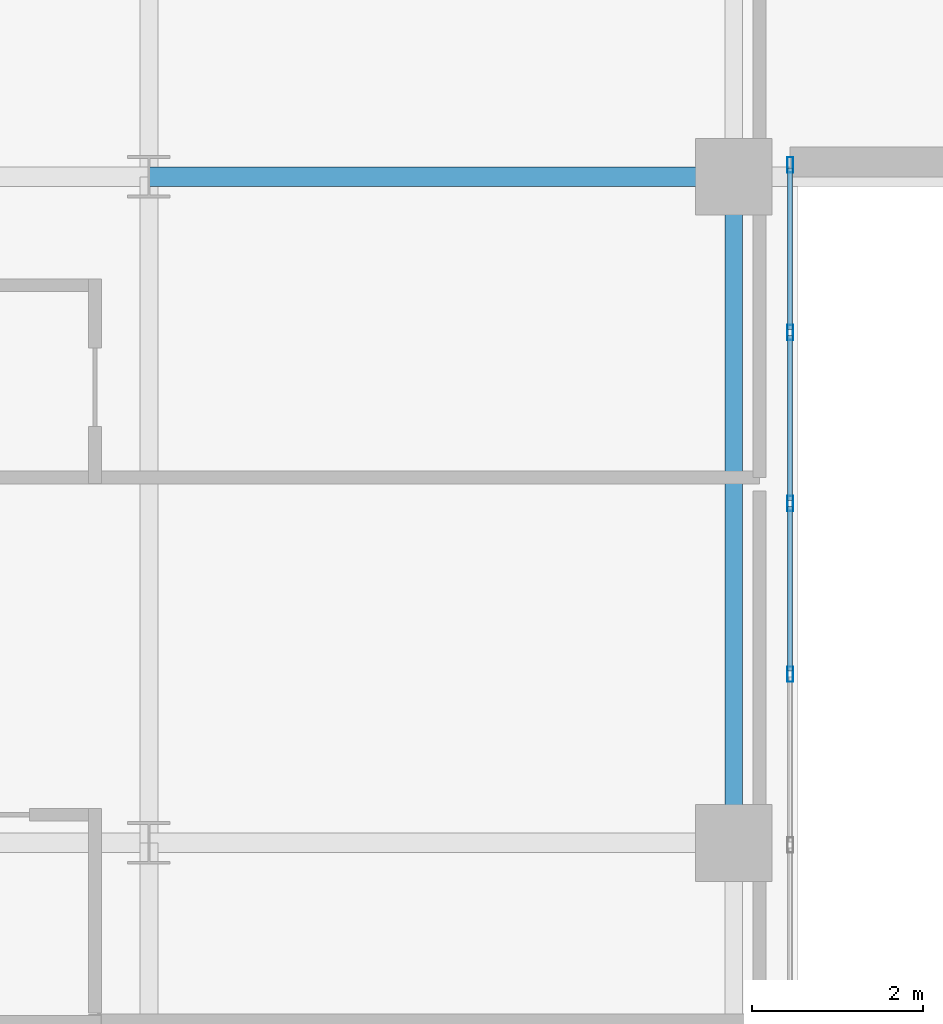
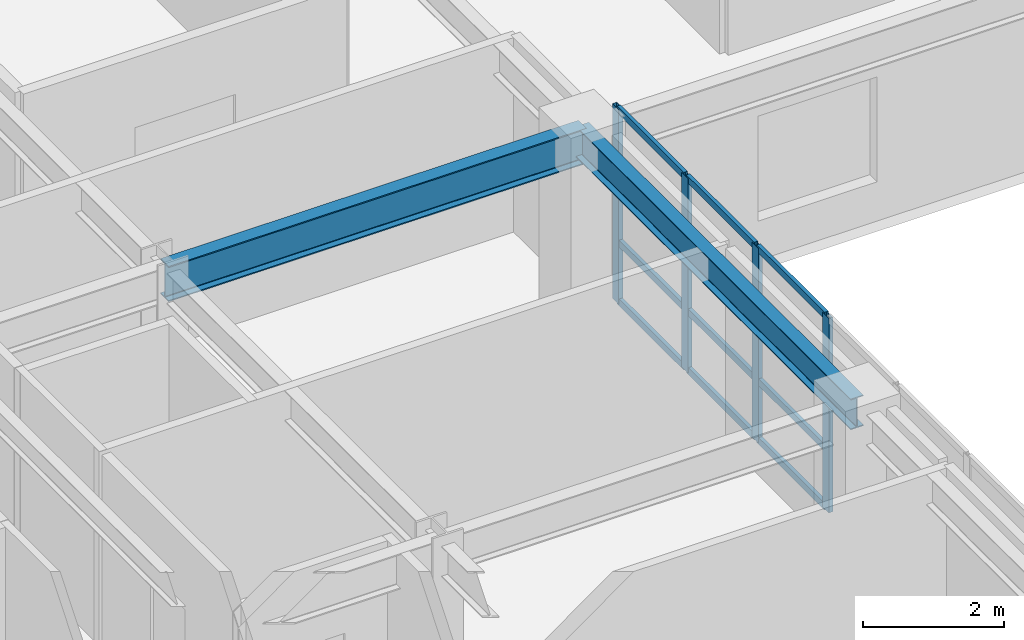
# One storey, part 7 of 30: 13 members, 2 beams, 1 element without a shape of its own.
"""IFC4 building model written with IfcOpenShell, lengths in metres."""

from ifc_helpers import new_model, si_unit, direction, frame, origin, origin_2d, place, context, subcontext, project, spatial, hollow_rectangle, i_section, extrude, source, transform, mapped, material, layer, layer_set, material_profile, profile_set, type_object, type_shapes, element, aggregate, save


model = new_model("IFC4")

# Units and contexts
model_context = context("Model", 3, precision=1e-05, world=origin(), true_north=direction((0.0, 1.0)))
body_context = subcontext(model_context, "Body", "Model", "MODEL_VIEW")
ifc_project = project(units=[si_unit("LENGTHUNIT", "METRE"), si_unit("AREAUNIT", "SQUARE_METRE"), si_unit("VOLUMEUNIT", "CUBIC_METRE"), si_unit("PLANEANGLEUNIT", "RADIAN"), si_unit("MASSUNIT", "GRAM", prefix="KILO")], contexts=[model_context])

# Site, building, storey
site_placement = place(None, origin())
site = spatial("IfcSite", under=ifc_project, at=site_placement, CompositionType="ELEMENT")
building_placement = place(site_placement, origin())
building = spatial("IfcBuilding", under=site, at=building_placement, Name="Tolvann Quenvar Hotel", CompositionType="ELEMENT")
storey_placement = place(building_placement, frame((0.0, 0.0, 100.89990234375)))
storey = spatial("IfcBuildingStorey", under=building, at=storey_placement, Name="L25", CompositionType="ELEMENT", Elevation=100.89990234375)

# Beams
ifc_material_1 = material(Name="Steel Grade 350", Category="steel")
ifc_material_profile_1 = material_profile(ifc_material_1, i_section(OverallWidth=0.22900390625, OverallDepth=0.612060546875, WebThickness=0.011962890625, FlangeThickness=0.01953125, FilletRadius=0.013916015625, at=origin_2d()), Name="610UB125")
ifc_profile_set_1 = profile_set([ifc_material_profile_1], Name="Steel Grade 350")
beam_type_1 = type_object("IfcBeamType", Name="BM_GIRD_610UB125", PredefinedType="BEAM", material=ifc_profile_set_1)
shared_shape_1 = source(origin(), body_context, "Body", "SweptSolid", [
    extrude(i_section(OverallWidth=0.22900390625, OverallDepth=0.612060546875, WebThickness=0.011962890625, FlangeThickness=0.01953125, FilletRadius=0.013916015625, at=origin_2d()), origin(), (0.0, 0.0, 1.0), 6.85009765625),
])
type_shapes(beam_type_1, [shared_shape_1])
beam_1_placement = place(storey_placement, frame((15.199951171875, 16.0, 3.064208984375), z_axis=(1.0, 0.0, 0.0), x_axis=(0.0, 1.0, 0.0)))
element("IfcBeam", 1, at=beam_1_placement, inside=storey, type_object=beam_type_1, Name="BM-L25-EW-4-D4-E4", PredefinedType="BEAM", context=body_context, shape_type="MappedRepresentation", body=[
    mapped(shared_shape_1, transform((0.0, 0.0, 0.0), x_axis=(1.0, 0.0, 0.0), y_axis=(0.0, 1.0, 0.0), z_axis=(0.0, 0.0, 1.0), scale=1.0)),
])
ifc_material_profile_2 = material_profile(ifc_material_1, i_section(OverallWidth=0.208984375, OverallDepth=0.532958984375, WebThickness=0.01025390625, FlangeThickness=0.015625, FilletRadius=0.013916015625, at=origin_2d()), Name="530UB92")
ifc_profile_set_2 = profile_set([ifc_material_profile_2], Name="Steel Grade 350")
beam_type_2 = type_object("IfcBeamType", Name="BM_GIRD_530UB92", PredefinedType="BEAM", material=ifc_profile_set_2)
shared_shape_2 = source(origin(), body_context, "Body", "SweptSolid", [
    extrude(i_section(OverallWidth=0.208984375, OverallDepth=0.532958984375, WebThickness=0.01025390625, FlangeThickness=0.015625, FilletRadius=0.013916015625, at=origin_2d()), origin(), (0.0, 0.0, 1.0), 7.800048828125),
])
type_shapes(beam_type_2, [shared_shape_2])
beam_2_placement = place(storey_placement, frame((22.050048828125, 8.199951171875, 3.103515625), z_axis=(0.0, 1.0, 0.0), x_axis=(-1.0, 0.0, 0.0)))
element("IfcBeam", 2, at=beam_2_placement, inside=storey, type_object=beam_type_2, Name="BM-L25-NS-E3-E4", PredefinedType="BEAM", context=body_context, shape_type="MappedRepresentation", body=[
    mapped(shared_shape_2, transform((0.0, 0.0, 0.0), x_axis=(1.0, 0.0, 0.0), y_axis=(0.0, 1.0, 0.0), z_axis=(0.0, 0.0, 1.0), scale=1.0)),
])

# Curtain wall, members
ifc_material_2 = material(Name="Thermally broken anodised architectural aluminium 6063-T6 and laminated low-E glass", Category="aluminium")
ifc_layer = layer(ifc_material_2, 0.179931640625)
ifc_layer_set = layer_set([ifc_layer], Name="Thermally broken anodised architectural aluminium 6063-T6 and laminated low-E glass")
curtain_wall_type = type_object("IfcCurtainWallType", Name="CW_SYS_SLOT_03", PredefinedType="USERDEFINED", material=ifc_layer_set)
curtain_wall_placement = place(storey_placement, origin())
curtain_wall = element("IfcCurtainWall", 3, at=curtain_wall_placement, inside=storey, type_object=curtain_wall_type, Name="Curtain Wall CW-SLOT-03 (CWR-L25-E05)", ObjectType="UNITISED CURTAIN WALL", PredefinedType="USERDEFINED")
ifc_material_3 = material(Name="Anodised architectural aluminium 6063-T6 framing", Category="aluminium")
ifc_material_profile_3 = material_profile(ifc_material_3, hollow_rectangle(XDim=0.070068359375, YDim=0.179931640625, WallThickness=0.00390625, at=origin_2d()), Name="180x70x4RHS")
ifc_profile_set_3 = profile_set([ifc_material_profile_3], Name="Anodised architectural aluminium 6063-T6 framing")
member_type_1 = type_object("IfcMemberType", Name="CW_MULL_180x70", PredefinedType="MULLION", material=ifc_profile_set_3)
shared_shape_3 = source(origin(), body_context, "Body", "SweptSolid", [
    extrude(hollow_rectangle(XDim=0.070068359375, YDim=0.179931640625, WallThickness=0.00390625, at=origin_2d()), origin(), (0.0, 0.0, 1.0), 3.3701171875),
])
type_shapes(member_type_1, [shared_shape_3])
member_1_placement = place(storey_placement, frame((22.7099609375, 10.175048828125, 0.0), z_axis=(0.0, 0.0, 1.0), x_axis=(-1.0, 0.0, 0.0)))
member_1 = element("IfcMember", 4, at=member_1_placement, type_object=member_type_1, Name="CW-SLOT-03 mullion 6", PredefinedType="MULLION", context=body_context, shape_type="MappedRepresentation", body=[
    mapped(shared_shape_3, transform((0.0, 0.0, 0.0), x_axis=(1.0, 0.0, 0.0), y_axis=(0.0, 1.0, 0.0), z_axis=(0.0, 0.0, 1.0), scale=1.0)),
])
member_2_placement = place(storey_placement, frame((22.7099609375, 12.175048828125, 0.0), z_axis=(0.0, 0.0, 1.0), x_axis=(-1.0, 0.0, 0.0)))
member_2 = element("IfcMember", 5, at=member_2_placement, type_object=member_type_1, Name="CW-SLOT-03 mullion 7", PredefinedType="MULLION", context=body_context, shape_type="MappedRepresentation", body=[
    mapped(shared_shape_3, transform((0.0, 0.0, 0.0), x_axis=(1.0, 0.0, 0.0), y_axis=(0.0, 1.0, 0.0), z_axis=(0.0, 0.0, 1.0), scale=1.0)),
])
member_3_placement = place(storey_placement, frame((22.7099609375, 14.175048828125, 0.0), z_axis=(0.0, 0.0, 1.0), x_axis=(-1.0, 0.0, 0.0)))
member_3 = element("IfcMember", 6, at=member_3_placement, type_object=member_type_1, Name="CW-SLOT-03 mullion 8", PredefinedType="MULLION", context=body_context, shape_type="MappedRepresentation", body=[
    mapped(shared_shape_3, transform((0.0, 0.0, 0.0), x_axis=(1.0, 0.0, 0.0), y_axis=(0.0, 1.0, 0.0), z_axis=(0.0, 0.0, 1.0), scale=1.0)),
])
member_4_placement = place(storey_placement, frame((22.7099609375, 16.139892578125, 0.0), z_axis=(0.0, 0.0, 1.0), x_axis=(-1.0, 0.0, 0.0)))
member_4 = element("IfcMember", 7, at=member_4_placement, type_object=member_type_1, Name="CW-SLOT-03 mullion 9", PredefinedType="MULLION", context=body_context, shape_type="MappedRepresentation", body=[
    mapped(shared_shape_3, transform((0.0, 0.0, 0.0), x_axis=(1.0, 0.0, 0.0), y_axis=(0.0, 1.0, 0.0), z_axis=(0.0, 0.0, 1.0), scale=1.0)),
])
ifc_material_profile_4 = material_profile(ifc_material_3, hollow_rectangle(XDim=0.06005859375, YDim=0.1201171875, WallThickness=0.00341796875, at=origin_2d()), Name="120x60x3.5RHS")
ifc_profile_set_4 = profile_set([ifc_material_profile_4], Name="Anodised architectural aluminium 6063-T6 framing")
member_type_2 = type_object("IfcMemberType", Name="CW_TRAN_120x60", PredefinedType="USERDEFINED", material=ifc_profile_set_4)
shared_shape_4 = source(origin(), body_context, "Body", "SweptSolid", [
    extrude(hollow_rectangle(XDim=0.06005859375, YDim=0.1201171875, WallThickness=0.00341796875, at=origin_2d()), origin(), (0.0, 0.0, 1.0), 1.929931640625),
])
member_5_placement = place(storey_placement, frame((22.7099609375, 10.2099609375, 0.030029296875), z_axis=(0.0, 1.0, 0.0), x_axis=(-1.0, 0.0, 0.0)))
member_5 = element("IfcMember", 8, at=member_5_placement, type_object=member_type_2, Name="CW-SLOT-03 transom 6.1", ObjectType="TRANSOM", PredefinedType="USERDEFINED", context=body_context, shape_type="MappedRepresentation", body=[
    mapped(shared_shape_4, transform((0.0, 0.0, 0.0), x_axis=(1.0, 0.0, 0.0), y_axis=(0.0, 1.0, 0.0), z_axis=(0.0, 0.0, 1.0), scale=1.0)),
])
member_6_placement = place(storey_placement, frame((22.7099609375, 10.2099609375, 1.050048828125), z_axis=(0.0, 1.0, 0.0), x_axis=(-1.0, 0.0, 0.0)))
member_6 = element("IfcMember", 9, at=member_6_placement, type_object=member_type_2, Name="CW-SLOT-03 transom 6.2", ObjectType="TRANSOM", PredefinedType="USERDEFINED", context=body_context, shape_type="MappedRepresentation", body=[
    mapped(shared_shape_4, transform((0.0, 0.0, 0.0), x_axis=(1.0, 0.0, 0.0), y_axis=(0.0, 1.0, 0.0), z_axis=(0.0, 0.0, 1.0), scale=1.0)),
])
member_7_placement = place(storey_placement, frame((22.7099609375, 10.2099609375, 3.340087890625), z_axis=(0.0, 1.0, 0.0), x_axis=(-1.0, 0.0, 0.0)))
member_7 = element("IfcMember", 10, at=member_7_placement, type_object=member_type_2, Name="CW-SLOT-03 transom 6.3", ObjectType="TRANSOM", PredefinedType="USERDEFINED", context=body_context, shape_type="MappedRepresentation", body=[
    mapped(shared_shape_4, transform((0.0, 0.0, 0.0), x_axis=(1.0, 0.0, 0.0), y_axis=(0.0, 1.0, 0.0), z_axis=(0.0, 0.0, 1.0), scale=1.0)),
])
member_8_placement = place(storey_placement, frame((22.7099609375, 12.2099609375, 0.030029296875), z_axis=(0.0, 1.0, 0.0), x_axis=(-1.0, 0.0, 0.0)))
member_8 = element("IfcMember", 11, at=member_8_placement, type_object=member_type_2, Name="CW-SLOT-03 transom 7.1", ObjectType="TRANSOM", PredefinedType="USERDEFINED", context=body_context, shape_type="MappedRepresentation", body=[
    mapped(shared_shape_4, transform((0.0, 0.0, 0.0), x_axis=(1.0, 0.0, 0.0), y_axis=(0.0, 1.0, 0.0), z_axis=(0.0, 0.0, 1.0), scale=1.0)),
])
member_9_placement = place(storey_placement, frame((22.7099609375, 12.2099609375, 1.050048828125), z_axis=(0.0, 1.0, 0.0), x_axis=(-1.0, 0.0, 0.0)))
member_9 = element("IfcMember", 12, at=member_9_placement, type_object=member_type_2, Name="CW-SLOT-03 transom 7.2", ObjectType="TRANSOM", PredefinedType="USERDEFINED", context=body_context, shape_type="MappedRepresentation", body=[
    mapped(shared_shape_4, transform((0.0, 0.0, 0.0), x_axis=(1.0, 0.0, 0.0), y_axis=(0.0, 1.0, 0.0), z_axis=(0.0, 0.0, 1.0), scale=1.0)),
])
member_10_placement = place(storey_placement, frame((22.7099609375, 12.2099609375, 3.340087890625), z_axis=(0.0, 1.0, 0.0), x_axis=(-1.0, 0.0, 0.0)))
member_10 = element("IfcMember", 13, at=member_10_placement, type_object=member_type_2, Name="CW-SLOT-03 transom 7.3", ObjectType="TRANSOM", PredefinedType="USERDEFINED", context=body_context, shape_type="MappedRepresentation", body=[
    mapped(shared_shape_4, transform((0.0, 0.0, 0.0), x_axis=(1.0, 0.0, 0.0), y_axis=(0.0, 1.0, 0.0), z_axis=(0.0, 0.0, 1.0), scale=1.0)),
])
shared_shape_5 = source(origin(), body_context, "Body", "SweptSolid", [
    extrude(hollow_rectangle(XDim=0.06005859375, YDim=0.1201171875, WallThickness=0.00341796875, at=origin_2d()), origin(), (0.0, 0.0, 1.0), 1.89501953125),
])
type_shapes(member_type_2, [shared_shape_4, shared_shape_5])
member_11_placement = place(storey_placement, frame((22.7099609375, 14.2099609375, 0.030029296875), z_axis=(0.0, 1.0, 0.0), x_axis=(-1.0, 0.0, 0.0)))
member_11 = element("IfcMember", 14, at=member_11_placement, type_object=member_type_2, Name="CW-SLOT-03 transom 8.1", ObjectType="TRANSOM", PredefinedType="USERDEFINED", context=body_context, shape_type="MappedRepresentation", body=[
    mapped(shared_shape_5, transform((0.0, 0.0, 0.0), x_axis=(1.0, 0.0, 0.0), y_axis=(0.0, 1.0, 0.0), z_axis=(0.0, 0.0, 1.0), scale=1.0)),
])
member_12_placement = place(storey_placement, frame((22.7099609375, 14.2099609375, 1.050048828125), z_axis=(0.0, 1.0, 0.0), x_axis=(-1.0, 0.0, 0.0)))
member_12 = element("IfcMember", 15, at=member_12_placement, type_object=member_type_2, Name="CW-SLOT-03 transom 8.2", ObjectType="TRANSOM", PredefinedType="USERDEFINED", context=body_context, shape_type="MappedRepresentation", body=[
    mapped(shared_shape_5, transform((0.0, 0.0, 0.0), x_axis=(1.0, 0.0, 0.0), y_axis=(0.0, 1.0, 0.0), z_axis=(0.0, 0.0, 1.0), scale=1.0)),
])
member_13_placement = place(storey_placement, frame((22.7099609375, 14.2099609375, 3.340087890625), z_axis=(0.0, 1.0, 0.0), x_axis=(-1.0, 0.0, 0.0)))
member_13 = element("IfcMember", 16, at=member_13_placement, type_object=member_type_2, Name="CW-SLOT-03 transom 8.3", ObjectType="TRANSOM", PredefinedType="USERDEFINED", context=body_context, shape_type="MappedRepresentation", body=[
    mapped(shared_shape_5, transform((0.0, 0.0, 0.0), x_axis=(1.0, 0.0, 0.0), y_axis=(0.0, 1.0, 0.0), z_axis=(0.0, 0.0, 1.0), scale=1.0)),
])
aggregate(curtain_wall, [member_1, member_2, member_3, member_4, member_5, member_6, member_7, member_8, member_9, member_10, member_11, member_12, member_13])

save(model, "model.ifc")
